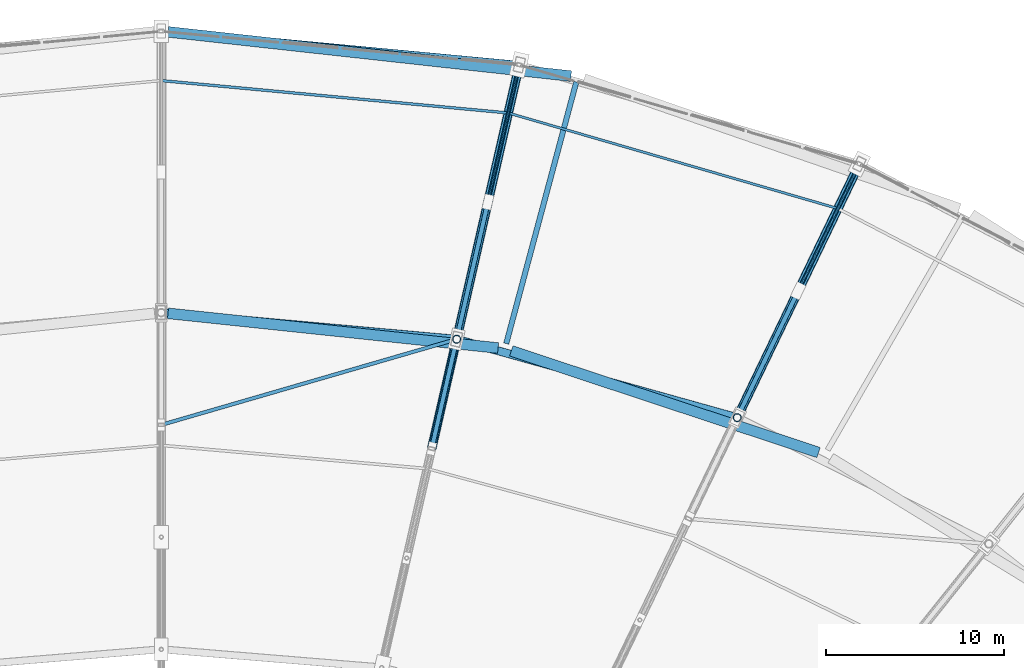
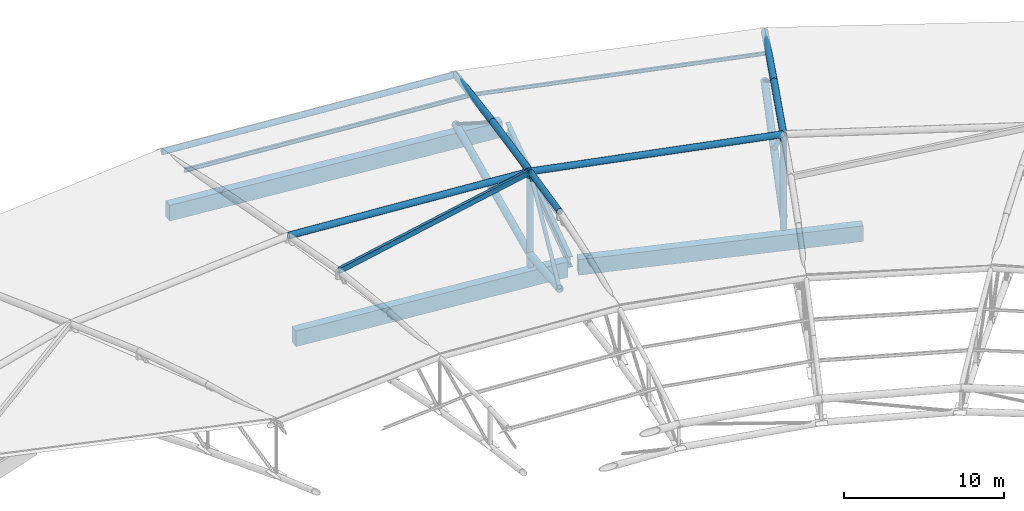
# One storey, part 86 of 108: 23 members, 4 beams.
"""IFC4 building model written with IfcOpenShell, lengths in metres."""

from ifc_helpers import new_model, si_unit, direction, frame, origin, origin_2d, place, context, subcontext, project, spatial, rectangle, hollow_rectangle, hollow_circle, i_section, extrude, material, material_profile, profile_set, type_object, element, save


model = new_model("IFC4")

# Units and contexts
model_context = context("Model", 3, precision=1e-05, world=origin(), true_north=direction((0.0, 1.0)))
body_context = subcontext(model_context, "Body", "Model", "MODEL_VIEW")
ifc_project = project(units=[si_unit("LENGTHUNIT", "METRE"), si_unit("AREAUNIT", "SQUARE_METRE"), si_unit("VOLUMEUNIT", "CUBIC_METRE"), si_unit("PLANEANGLEUNIT", "RADIAN"), si_unit("MASSUNIT", "GRAM", prefix="KILO")], contexts=[model_context])

# Site, building, storey
site_placement = place(None, origin())
site = spatial("IfcSite", under=ifc_project, at=site_placement, CompositionType="ELEMENT")
building_placement = place(site_placement, origin())
building = spatial("IfcBuilding", under=site, at=building_placement, Name="Zevraka Park Crest Stadium", CompositionType="ELEMENT")
storey_placement = place(building_placement, frame((0.0, 0.0, 29.39990234375)))
storey = spatial("IfcBuildingStorey", under=building, at=storey_placement, Name="RF", CompositionType="ELEMENT", Elevation=29.39990234375)

# Beam
ifc_material_1 = material(Name="Steel S355", Category="steel")
ifc_material_profile_1 = material_profile(ifc_material_1, i_section(OverallWidth=0.300048828125, OverallDepth=0.800048828125, WebThickness=0.017578125, FlangeThickness=0.032958984375, at=origin_2d()), Name="HEB 800")
ifc_profile_set_1 = profile_set([ifc_material_profile_1], Name="Steel S355")
beam_type_1 = type_object("IfcBeamType", Name="BG10", PredefinedType="BEAM", material=ifc_profile_set_1)
beam_1_placement = place(storey_placement, frame((131.360107421875, 149.762939453125, -0.534912109375), z_axis=(0.258761243247, 0.965941312396, 0.0), x_axis=(-0.965941312396, 0.258761243247, 0.0)))
element("IfcBeam", 1, at=beam_1_placement, inside=storey, type_object=beam_type_1, Name="Radial Girder BG10 RF-BD-05", PredefinedType="BEAM", context=body_context, shape_type="SweptSolid", body=[
    extrude(i_section(OverallWidth=0.300048828125, OverallDepth=0.800048828125, WebThickness=0.017578125, FlangeThickness=0.032958984375, at=origin_2d()), origin(), (0.0, 0.0, 1.0), 15.19873046875),
])

# Members
ifc_material_2 = material(Name="Steel S355", Category="steel")
ifc_material_profile_2 = material_profile(ifc_material_2, i_section(OverallWidth=0.14990234375, OverallDepth=0.300048828125, WebThickness=0.007080078125, FlangeThickness=0.0107421875, at=origin_2d()), Name="IPE 300")
ifc_profile_set_2 = profile_set([ifc_material_profile_2], Name="Steel S355")
member_type_1 = type_object("IfcMemberType", Name="PR02", PredefinedType="PURLIN", material=ifc_profile_set_2)
member_1_placement = place(storey_placement, frame((131.47607421875, 162.7060546875, 4.287109375), z_axis=(-0.995672202982, 0.092934730907, 0.0), x_axis=(-0.092934730907, -0.995672202982, 0.0)))
element("IfcMember", 2, at=member_1_placement, inside=storey, type_object=member_type_1, Name="Canopy Roof Purlin PR02 OUTER-07-1", PredefinedType="PURLIN", context=body_context, shape_type="SweptSolid", body=[
    extrude(i_section(OverallWidth=0.14990234375, OverallDepth=0.300048828125, WebThickness=0.007080078125, FlangeThickness=0.0107421875, at=origin_2d()), origin(), (0.0, 0.0, 1.0), 19.560791015625),
])
ifc_material_3 = material(Name="Steel S355", Category="steel")
ifc_material_profile_3 = material_profile(ifc_material_3, i_section(OverallWidth=0.135009765625, OverallDepth=0.27001953125, WebThickness=0.006591796875, FlangeThickness=0.01025390625, at=origin_2d()), Name="IPE 270")
ifc_profile_set_3 = profile_set([ifc_material_profile_3], Name="Steel S355")
member_type_2 = type_object("IfcMemberType", Name="PR04", PredefinedType="PURLIN", material=ifc_profile_set_3)
member_2_placement = place(storey_placement, frame((149.97607421875, 157.342041015625, 4.302001953125), z_axis=(-0.960442835387, 0.27847721622, 0.0), x_axis=(-0.27847721622, -0.960442835387, 0.0)))
element("IfcMember", 3, at=member_2_placement, inside=storey, type_object=member_type_2, Name="Canopy Roof Purlin PR04 OUTER-06-1", PredefinedType="PURLIN", context=body_context, shape_type="SweptSolid", body=[
    extrude(i_section(OverallWidth=0.135009765625, OverallDepth=0.27001953125, WebThickness=0.006591796875, FlangeThickness=0.01025390625, at=origin_2d()), origin(), (0.0, 0.0, 1.0), 19.261962890625),
])

# Beams
ifc_material_4 = material(Name="Concrete C40/50", Category="concrete")
ifc_material_profile_4 = material_profile(ifc_material_4, rectangle(XDim=0.60009765625, YDim=1.199951171875, at=origin_2d()), Name="RC 1200x600")
ifc_profile_set_4 = profile_set([ifc_material_profile_4], Name="Concrete C40/50")
beam_type_2 = type_object("IfcBeamType", Name="RB01", PredefinedType="BEAM", material=ifc_profile_set_4)
beam_2_placement = place(storey_placement, frame((148.888916015625, 143.64794921875, -0.599853515625), z_axis=(-0.949383863235, 0.314118258349, 0.0), x_axis=(-0.314118258349, -0.949383863235, 0.0)))
element("IfcBeam", 4, at=beam_2_placement, inside=storey, type_object=beam_type_2, Name="Ring Beam RB01 RF-B-04", PredefinedType="BEAM", context=body_context, shape_type="SweptSolid", body=[
    extrude(rectangle(XDim=0.60009765625, YDim=1.199951171875, at=origin_2d()), origin(), (0.0, 0.0, 1.0), 18.165283203125),
])
beam_3_placement = place(storey_placement, frame((130.904052734375, 149.512939453125, -0.599853515625), z_axis=(-0.994522746434, 0.1045203656, 0.0), x_axis=(-0.1045203656, -0.994522746434, 0.0)))
element("IfcBeam", 5, at=beam_3_placement, inside=storey, type_object=beam_type_2, Name="Ring Beam RB01 RF-B-05", PredefinedType="BEAM", context=body_context, shape_type="SweptSolid", body=[
    extrude(rectangle(XDim=0.60009765625, YDim=1.199951171875, at=origin_2d()), origin(), (0.0, 0.0, 1.0), 18.628173828125),
])
beam_4_placement = place(storey_placement, frame((134.992919921875, 164.77490234375, -0.599853515625), z_axis=(-0.994021150509, 0.109187693174, 0.0), x_axis=(-0.109187693174, -0.994021150509, 0.0)))
element("IfcBeam", 6, at=beam_4_placement, inside=storey, type_object=beam_type_2, Name="Ring Beam RB01 RF-D-05", PredefinedType="BEAM", context=body_context, shape_type="SweptSolid", body=[
    extrude(rectangle(XDim=0.60009765625, YDim=1.199951171875, at=origin_2d()), origin(), (0.0, 0.0, 1.0), 22.7509765625),
])

# Members
ifc_material_5 = material(Name="Steel S355", Category="steel")
ifc_material_profile_5 = material_profile(ifc_material_5, hollow_circle(Radius=0.25390625, WallThickness=0.030029296875, at=origin_2d()), Name="CHS 508.0x30")
ifc_profile_set_5 = profile_set([ifc_material_profile_5], Name="Steel S355")
member_type_3 = type_object("IfcMemberType", Name="TC01", PredefinedType="CHORD", material=ifc_profile_set_5)
member_3_placement = place(storey_placement, frame((151.179931640625, 159.843017578125, 0.25), z_axis=(-0.433588503654, -0.90031143252, 0.037951732141), x_axis=(0.90096050834, -0.4339010975, 0.0)))
element("IfcMember", 7, at=member_3_placement, inside=storey, type_object=member_type_3, Name="Roof Truss Bottom Chord TC01 T06-1", PredefinedType="CHORD", context=body_context, shape_type="SweptSolid", body=[
    extrude(hollow_circle(Radius=0.25390625, WallThickness=0.030029296875, at=origin_2d()), origin(), (0.0, 0.0, 1.0), 7.906005859375),
])
member_4_placement = place(storey_placement, frame((147.751953125, 152.72509765625, 0.550048828125), z_axis=(-0.433511827755, -0.900059597088, 0.044274336657), x_axis=(0.900943052133, -0.433937342035, 0.0)))
element("IfcMember", 8, at=member_4_placement, inside=storey, type_object=member_type_3, Name="Roof Truss Bottom Chord TC01 T06-2", PredefinedType="CHORD", context=body_context, shape_type="SweptSolid", body=[
    extrude(hollow_circle(Radius=0.25390625, WallThickness=0.030029296875, at=origin_2d()), origin(), (0.0, 0.0, 1.0), 7.907470703125),
])
member_5_placement = place(storey_placement, frame((132.093994140625, 165.412109375, 0.25), z_axis=(-0.222371621946, -0.974223014742, 0.037952329311), x_axis=(0.97492539894, -0.222531944902, 0.0)))
element("IfcMember", 9, at=member_5_placement, inside=storey, type_object=member_type_3, Name="Roof Truss Bottom Chord TC01 T07-1", PredefinedType="CHORD", context=body_context, shape_type="SweptSolid", body=[
    extrude(hollow_circle(Radius=0.25390625, WallThickness=0.030029296875, at=origin_2d()), origin(), (0.0, 0.0, 1.0), 7.906005859375),
])
member_6_placement = place(storey_placement, frame((130.3359375, 157.7099609375, 0.550048828125), z_axis=(-0.222320446954, -0.97396794057, 0.044272673369), x_axis=(0.974923868544, -0.222538649551, 0.0)))
element("IfcMember", 10, at=member_6_placement, inside=storey, type_object=member_type_3, Name="Roof Truss Bottom Chord TC01 T07-2", PredefinedType="CHORD", context=body_context, shape_type="SweptSolid", body=[
    extrude(hollow_circle(Radius=0.25390625, WallThickness=0.030029296875, at=origin_2d()), origin(), (0.0, 0.0, 1.0), 7.90771484375),
])
member_7_placement = place(storey_placement, frame((128.577880859375, 150.008056640625, 0.900146484375), z_axis=(-0.216071602528, -0.946696164472, 0.238913027595), x_axis=(0.974929167571, -0.222515433667, 0.0)))
element("IfcMember", 11, at=member_7_placement, inside=storey, type_object=member_type_3, Name="Roof Truss Bottom Chord TC01 T07-3", PredefinedType="CHORD", context=body_context, shape_type="SweptSolid", body=[
    extrude(hollow_circle(Radius=0.25390625, WallThickness=0.030029296875, at=origin_2d()), origin(), (0.0, 0.0, 1.0), 6.488037109375),
])
ifc_material_6 = material(Name="Steel S355", Category="steel")
ifc_material_profile_6 = material_profile(ifc_material_6, hollow_circle(Radius=0.228515625, WallThickness=0.02490234375, at=origin_2d()), Name="CHS 457.0x25")
ifc_profile_set_6 = profile_set([ifc_material_profile_6], Name="Steel S355")
member_type_4 = type_object("IfcMemberType", Name="TC02", PredefinedType="CHORD", material=ifc_profile_set_6)
member_8_placement = place(storey_placement, frame((144.323974609375, 145.60791015625, 0.0), z_axis=(0.0, 0.0, 1.0), x_axis=(0.43381634559, 0.90100131981, 0.0)))
element("IfcMember", 12, at=member_8_placement, inside=storey, type_object=member_type_4, Name="Roof Truss Anchor Strut TC02 T06-2", PredefinedType="CHORD", context=body_context, shape_type="SweptSolid", body=[
    extrude(hollow_circle(Radius=0.228515625, WallThickness=0.02490234375, at=origin_2d()), origin(), (0.0, 0.0, 1.0), 7.2001953125),
])
member_9_placement = place(storey_placement, frame((151.179931640625, 159.843017578125, 4.0), z_axis=(-0.424189522612, -0.880795209155, 0.210387852394), x_axis=(0.90096050834, -0.4339010975, 0.0)))
element("IfcMember", 13, at=member_9_placement, inside=storey, type_object=member_type_4, Name="Roof Truss Top Chord TC02 T06-1", PredefinedType="CHORD", context=body_context, shape_type="SweptSolid", body=[
    extrude(hollow_circle(Radius=0.228515625, WallThickness=0.02490234375, at=origin_2d()), origin(), (0.0, 0.0, 1.0), 8.081298828125),
])
member_10_placement = place(storey_placement, frame((147.751953125, 152.72509765625, 5.7001953125), z_axis=(-0.426320000783, -0.885127887104, 0.186547260509), x_axis=(0.900943052133, -0.433937342035, 0.0)))
element("IfcMember", 14, at=member_10_placement, inside=storey, type_object=member_type_4, Name="Roof Truss Top Chord TC02 T06-2", PredefinedType="CHORD", context=body_context, shape_type="SweptSolid", body=[
    extrude(hollow_circle(Radius=0.228515625, WallThickness=0.02490234375, at=origin_2d()), origin(), (0.0, 0.0, 1.0), 8.040771484375),
])
member_11_placement = place(storey_placement, frame((128.577880859375, 150.008056640625, 0.0), z_axis=(0.0, 0.0, 1.0), x_axis=(0.222569549971, 0.974916814618, 0.0)))
element("IfcMember", 15, at=member_11_placement, inside=storey, type_object=member_type_4, Name="Roof Truss Anchor Strut TC02 T07-2", PredefinedType="CHORD", context=body_context, shape_type="SweptSolid", body=[
    extrude(hollow_circle(Radius=0.228515625, WallThickness=0.02490234375, at=origin_2d()), origin(), (0.0, 0.0, 1.0), 7.2001953125),
])
member_12_placement = place(storey_placement, frame((132.093994140625, 165.412109375, 4.0), z_axis=(-0.217551082903, -0.953103952705, 0.210391020877), x_axis=(0.97492539894, -0.222531944902, 0.0)))
element("IfcMember", 16, at=member_12_placement, inside=storey, type_object=member_type_4, Name="Roof Truss Top Chord TC02 T07-1", PredefinedType="CHORD", context=body_context, shape_type="SweptSolid", body=[
    extrude(hollow_circle(Radius=0.228515625, WallThickness=0.02490234375, at=origin_2d()), origin(), (0.0, 0.0, 1.0), 8.0810546875),
])
member_13_placement = place(storey_placement, frame((130.3359375, 157.7099609375, 5.7001953125), z_axis=(-0.218632489842, -0.957811298019, 0.186540482931), x_axis=(0.974923868544, -0.222538649551, 0.0)))
element("IfcMember", 17, at=member_13_placement, inside=storey, type_object=member_type_4, Name="Roof Truss Top Chord TC02 T07-2", PredefinedType="CHORD", context=body_context, shape_type="SweptSolid", body=[
    extrude(hollow_circle(Radius=0.228515625, WallThickness=0.02490234375, at=origin_2d()), origin(), (0.0, 0.0, 1.0), 8.041259765625),
])
member_14_placement = place(storey_placement, frame((144.323974609375, 145.60791015625, 7.2001953125), z_axis=(-0.96310300545, 0.269133054255, 0.0), x_axis=(-0.269133054255, -0.96310300545, 0.0)))
element("IfcMember", 18, at=member_14_placement, inside=storey, type_object=member_type_4, Name="Roof Main Bowl-Rim Ring Chord TC02 06", PredefinedType="CHORD", context=body_context, shape_type="SweptSolid", body=[
    extrude(hollow_circle(Radius=0.228515625, WallThickness=0.02490234375, at=origin_2d()), origin(), (0.0, 0.0, 1.0), 16.349365234375),
])
member_15_placement = place(storey_placement, frame((128.577880859375, 150.008056640625, 7.2001953125), z_axis=(-0.995974792395, 0.089633771061, 0.0), x_axis=(-0.089633771061, -0.995974792395, 0.0)))
element("IfcMember", 19, at=member_15_placement, inside=storey, type_object=member_type_4, Name="Roof Main Bowl-Rim Ring Chord TC02 07", PredefinedType="CHORD", context=body_context, shape_type="SweptSolid", body=[
    extrude(hollow_circle(Radius=0.228515625, WallThickness=0.02490234375, at=origin_2d()), origin(), (0.0, 0.0, 1.0), 16.644775390625),
])
ifc_material_7 = material(Name="Steel S355", Category="steel")
ifc_material_profile_7 = material_profile(ifc_material_7, hollow_circle(Radius=0.203125, WallThickness=0.02001953125, at=origin_2d()), Name="CHS 406.4x20")
ifc_profile_set_7 = profile_set([ifc_material_profile_7], Name="Steel S355")
member_type_5 = type_object("IfcMemberType", Name="TC03", PredefinedType="CHORD", material=ifc_profile_set_7)
member_16_placement = place(storey_placement, frame((128.577880859375, 150.008056640625, 7.2001953125), z_axis=(-0.21889903057, -0.959084258287, 0.179556676069), x_axis=(0.974929167571, -0.222515433667, 0.0)))
element("IfcMember", 20, at=member_16_placement, inside=storey, type_object=member_type_5, Name="Roof Truss Top Chord TC03 T07-3", PredefinedType="CHORD", context=body_context, shape_type="SweptSolid", body=[
    extrude(hollow_circle(Radius=0.203125, WallThickness=0.02001953125, at=origin_2d()), origin(), (0.0, 0.0, 1.0), 6.404052734375),
])
member_17_placement = place(storey_placement, frame((132.093994140625, 165.412109375, 4.0), z_axis=(-0.995615199736, 0.093543434051, 0.0), x_axis=(-0.093543434051, -0.995615199736, 0.0)))
element("IfcMember", 21, at=member_17_placement, inside=storey, type_object=member_type_5, Name="Roof Outer Canopy Ring Chord TC03 07", PredefinedType="CHORD", context=body_context, shape_type="SweptSolid", body=[
    extrude(hollow_circle(Radius=0.203125, WallThickness=0.02001953125, at=origin_2d()), origin(), (0.0, 0.0, 1.0), 20.182373046875),
])
ifc_material_8 = material(Name="Steel S355", Category="steel")
ifc_material_profile_8 = material_profile(ifc_material_8, hollow_circle(Radius=0.136474609375, WallThickness=0.012451171875, at=origin_2d()), Name="CHS 273.0x12.5")
ifc_profile_set_8 = profile_set([ifc_material_profile_8], Name="Steel S355")
member_type_6 = type_object("IfcMemberType", Name="WB01", PredefinedType="BRACE", material=ifc_profile_set_8)
member_18_placement = place(storey_placement, frame((147.751953125, 152.72509765625, 0.550048828125), z_axis=(-0.331969899327, -0.689237697114, 0.644008837531), x_axis=(0.900943052133, -0.433937342035, 0.0)))
element("IfcMember", 22, at=member_18_placement, inside=storey, type_object=member_type_6, Name="Roof Truss Web Diagonal WB01 T06-2", PredefinedType="BRACE", context=body_context, shape_type="SweptSolid", body=[
    extrude(hollow_circle(Radius=0.136474609375, WallThickness=0.012451171875, at=origin_2d()), origin(), (0.0, 0.0, 1.0), 10.326171875),
])
member_19_placement = place(storey_placement, frame((130.3359375, 157.7099609375, 0.550048828125), z_axis=(-0.170248741629, -0.745846000859, 0.643994649805), x_axis=(0.974923868544, -0.222538649551, 0.0)))
element("IfcMember", 23, at=member_19_placement, inside=storey, type_object=member_type_6, Name="Roof Truss Web Diagonal WB01 T07-2", PredefinedType="BRACE", context=body_context, shape_type="SweptSolid", body=[
    extrude(hollow_circle(Radius=0.136474609375, WallThickness=0.012451171875, at=origin_2d()), origin(), (0.0, 0.0, 1.0), 10.326416015625),
])
member_20_placement = place(storey_placement, frame((127.176025390625, 143.865966796875, 2.4501953125), z_axis=(0.177673727956, 0.778459708798, 0.602023694029), x_axis=(-0.974929167571, 0.222515433667, 0.0)))
element("IfcMember", 24, at=member_20_placement, inside=storey, type_object=member_type_6, Name="Roof Truss Web Diagonal WB01 T07-3", PredefinedType="BRACE", context=body_context, shape_type="SweptSolid", body=[
    extrude(hollow_circle(Radius=0.136474609375, WallThickness=0.012451171875, at=origin_2d()), origin(), (0.0, 0.0, 1.0), 7.89013671875),
])
ifc_material_9 = material(Name="Steel S355", Category="steel")
ifc_material_profile_9 = material_profile(ifc_material_9, hollow_circle(Radius=0.109619140625, WallThickness=0.010009765625, at=origin_2d()), Name="CHS 219.1x10")
ifc_profile_set_9 = profile_set([ifc_material_profile_9], Name="Steel S355")
member_type_7 = type_object("IfcMemberType", Name="WB02", PredefinedType="BRACE", material=ifc_profile_set_9)
for number, where, z_axis, x_axis, name in (
    (25, (151.179931640625, 159.843017578125, 0.25), (-0.357157740479, -0.741609139212, 0.567850537601), (0.90096050834, -0.4339010975, 0.0), "Roof Truss Web Diagonal WB02 T06-1"),
    (26, (132.093994140625, 165.412109375, 0.25), (-0.183172163518, -0.802487906494, 0.567856600246), (0.97492539894, -0.222531944902, 0.0), "Roof Truss Web Diagonal WB02 T07-1"),
):
    element("IfcMember", number, at=place(storey_placement, frame(where, z_axis=z_axis, x_axis=x_axis)), inside=storey, type_object=member_type_7, Name=name, PredefinedType="BRACE", context=body_context, shape_type="SweptSolid", body=[
        extrude(hollow_circle(Radius=0.109619140625, WallThickness=0.010009765625, at=origin_2d()), origin(), (0.0, 0.0, 1.0), 9.597900390625),
    ])
ifc_material_10 = material(Name="Steel S355", Category="steel")
ifc_material_profile_10 = material_profile(ifc_material_10, hollow_rectangle(XDim=0.199951171875, YDim=0.39990234375, WallThickness=0.01611328125, at=origin_2d()), Name="RHS 400x200x16")
ifc_profile_set_10 = profile_set([ifc_material_profile_10], Name="Steel S355")
member_type_8 = type_object("IfcMemberType", Name="WB06", PredefinedType="BRACE", material=ifc_profile_set_10)
member_21_placement = place(storey_placement, frame((128.577880859375, 150.008056640625, 7.2001953125), z_axis=(-0.958296972686, -0.277936182202, 0.066470976854), x_axis=(0.278552239773, -0.96042107938, 0.0)))
element("IfcMember", 27, at=member_21_placement, inside=storey, type_object=member_type_8, Name="Canopy Roof Wind Brace WB06 07", PredefinedType="BRACE", context=body_context, shape_type="SweptSolid", body=[
    extrude(hollow_rectangle(XDim=0.199951171875, YDim=0.39990234375, WallThickness=0.01611328125, at=origin_2d()), origin(), (0.0, 0.0, 1.0), 17.29931640625),
])

save(model, "model.ifc")
